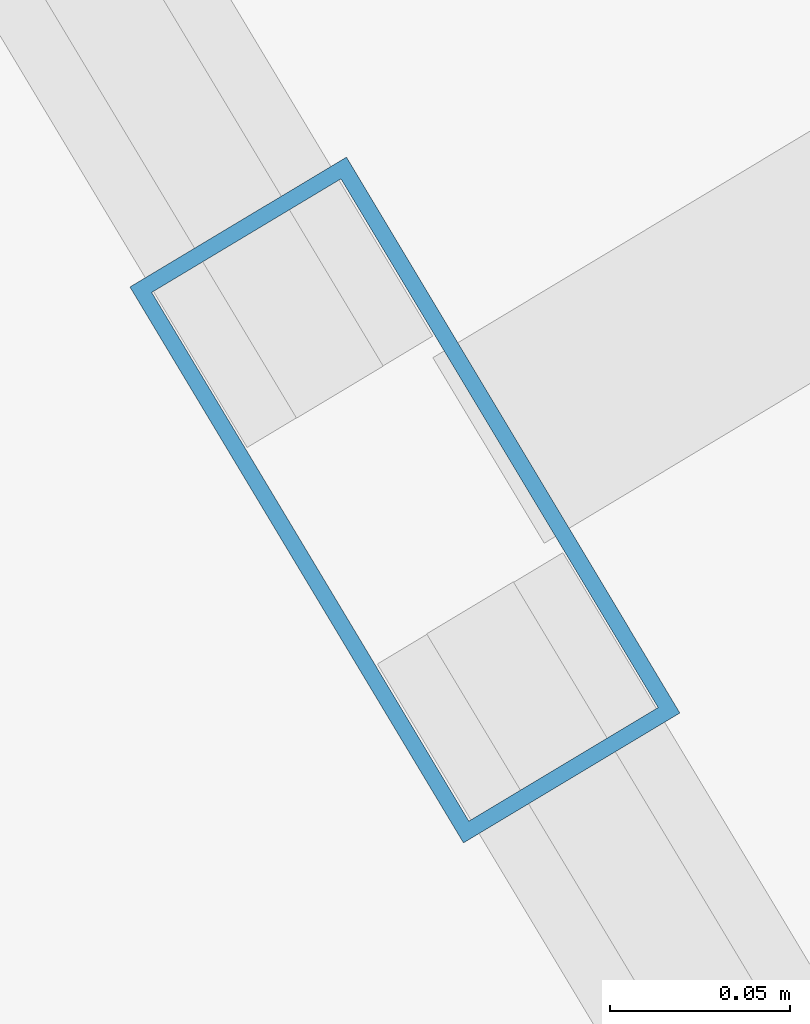
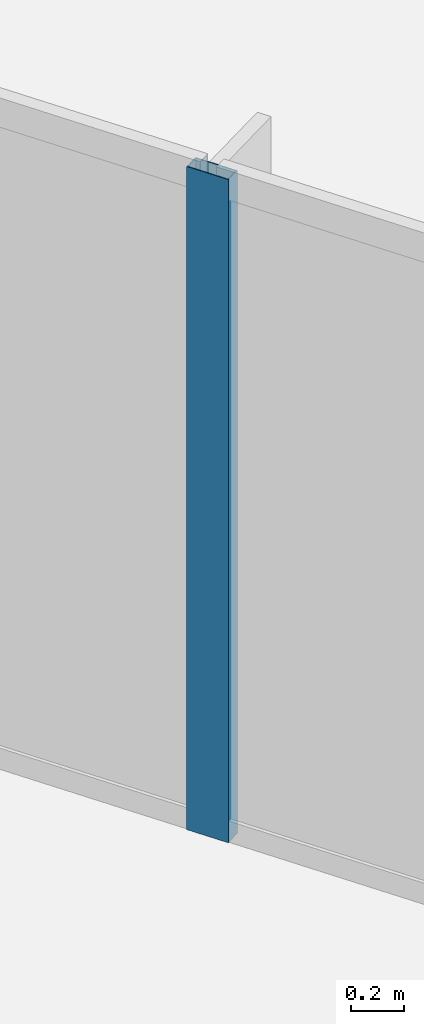
# One storey, part 18 of 36: 1 member, 1 element without a shape of its own.
"""IFC4 building model written with IfcOpenShell, lengths in metres."""

from ifc_helpers import new_model, si_unit, direction, frame, origin, origin_2d, place, context, subcontext, project, spatial, hollow_rectangle, extrude, material, layer, layer_set, material_profile, profile_set, type_object, element, aggregate, save


model = new_model("IFC4")

# Units and contexts
model_context = context("Model", 3, precision=1e-05, world=origin(), true_north=direction((0.0, 1.0)))
body_context = subcontext(model_context, "Body", "Model", "MODEL_VIEW")
ifc_project = project(units=[si_unit("LENGTHUNIT", "METRE"), si_unit("AREAUNIT", "SQUARE_METRE"), si_unit("VOLUMEUNIT", "CUBIC_METRE"), si_unit("PLANEANGLEUNIT", "RADIAN"), si_unit("MASSUNIT", "GRAM", prefix="KILO")], contexts=[model_context])

# Site, building, storey
site_placement = place(None, origin())
site = spatial("IfcSite", under=ifc_project, at=site_placement, CompositionType="ELEMENT")
building_placement = place(site_placement, origin())
building = spatial("IfcBuilding", under=site, at=building_placement, Name="Orvanel Arch Residences", CompositionType="ELEMENT")
storey_placement = place(building_placement, frame((0.0, 0.0, 23.60009765625)))
storey = spatial("IfcBuildingStorey", under=building, at=storey_placement, Name="L05", CompositionType="ELEMENT", Elevation=23.60009765625)

# Curtain wall, member
ifc_material = material(Name="Bronze-anodised aluminium AA6063-T6", Category="aluminium")
ifc_layer = layer(ifc_material, 0.179931640625)
ifc_layer_set = layer_set([ifc_layer], Name="Bronze-anodised aluminium AA6063-T6")
curtain_wall_type = type_object("IfcCurtainWallType", Name="CW2-LOW-SYS", PredefinedType="NOTDEFINED", material=ifc_layer_set)
curtain_wall_placement = place(storey_placement, origin())
curtain_wall = element("IfcCurtainWall", 1, at=curtain_wall_placement, inside=storey, type_object=curtain_wall_type, Name="L05 CW2-LOW-SYS Unitised Curtain Wall", PredefinedType="NOTDEFINED")
ifc_material_profile = material_profile(ifc_material, hollow_rectangle(XDim=0.070068359375, YDim=0.179931640625, WallThickness=0.00439453125, at=origin_2d()), Name="ALU180x70x4.5")
ifc_profile_set = profile_set([ifc_material_profile], Name="Bronze-anodised aluminium AA6063-T6")
member_type = type_object("IfcMemberType", Name="MUL-180x70", PredefinedType="MULLION", material=ifc_profile_set)
member_placement = place(storey_placement, frame((50.449951171875, 30.4794921875, 0.0), z_axis=(0.0, 0.0, 1.0), x_axis=(-0.857540386644, -0.514416645603, 0.0)))
member = element("IfcMember", 2, at=member_placement, type_object=member_type, Name="CW-S2 mullion 2", PredefinedType="MULLION", context=body_context, shape_type="SweptSolid", body=[
    extrude(hollow_rectangle(XDim=0.070068359375, YDim=0.179931640625, WallThickness=0.00439453125, at=origin_2d()), origin(), (0.0, 0.0, 1.0), 3.059814453125),
])
aggregate(curtain_wall, [member])

save(model, "model.ifc")
